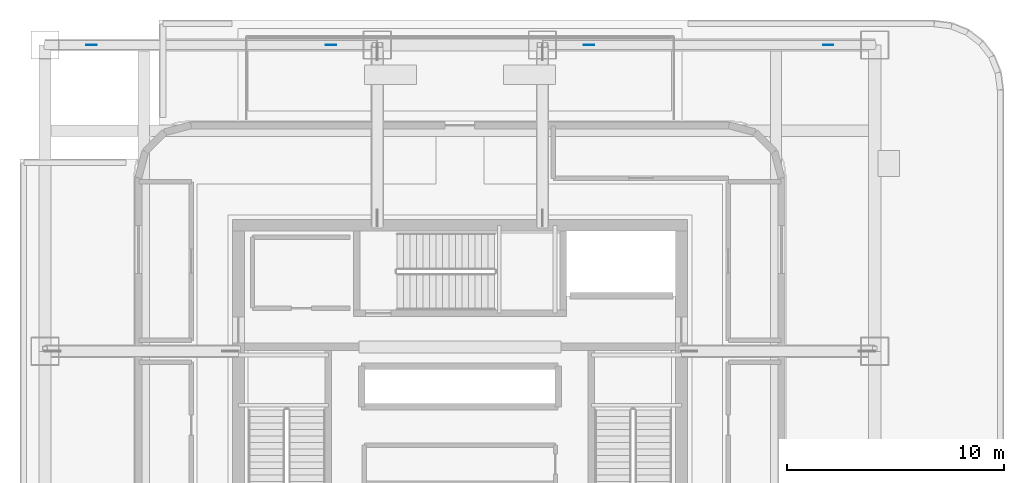
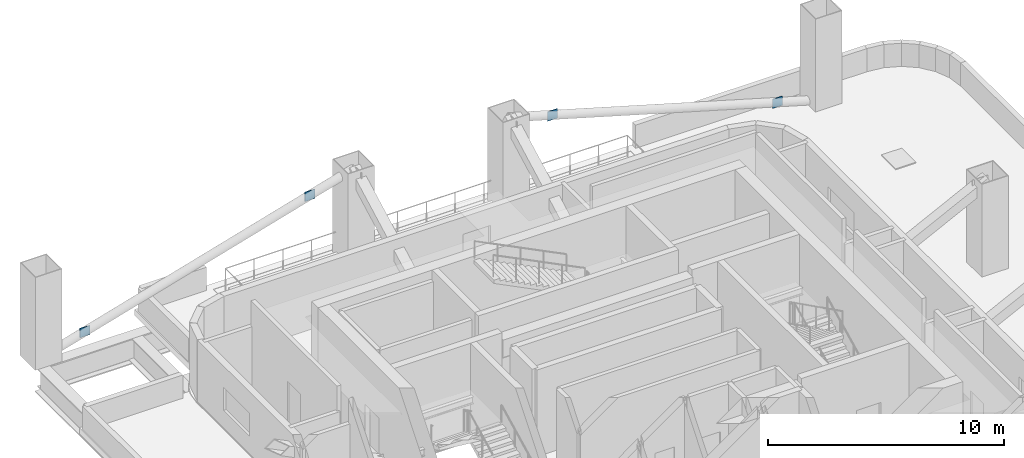
# One storey, part 4 of 11: 4 plates.
"""IFC4 building model written with IfcOpenShell, lengths in metres."""

import ifcopenshell
import ifcopenshell.guid

model = None  # the IFC model being written
_history = None  # IfcOwnerHistory: only IFC2X3 demands one
_inside = {}  # id of a spatial element -> (the spatial element, [elements in it])
_under = {}  # id of a project, library or spatial element -> (it, [spatial elements below it])
_declared = {}  # id of a project -> (the project, [libraries it declares])
_typed = {}  # id of a type object -> (the type object, [elements of that type])
_made_of = {}  # id of a material, layer set ... -> (it, [elements and type objects made of it])


def new_model(schema):
    """Start an empty IFC model of exactly this schema.

    Asked for "IFC4X3", IfcOpenShell would pick the latest addendum, in which some entities
    have other attributes; the version numbers below select the first issue.
    IFC2X3 requires an IfcOwnerHistory on every rooted entity: one is made here for all.
    """
    global model, _history
    if schema == "IFC4X3":
        model = ifcopenshell.file(schema_version=(4, 3, 0, 0))
    else:
        model = ifcopenshell.file(schema=schema)
    _inside.clear()
    _under.clear()
    _declared.clear()
    _typed.clear()
    _made_of.clear()
    _history = None
    if model.schema == "IFC2X3":
        org = make("IfcOrganization", Name="unknown")
        user = make(
            "IfcPersonAndOrganization",
            ThePerson=make("IfcPerson", FamilyName="unknown"),
            TheOrganization=org,
        )
        app = make(
            "IfcApplication",
            ApplicationDeveloper=org,
            Version="unknown",
            ApplicationFullName="unknown",
            ApplicationIdentifier="unknown",
        )
        _history = make(
            "IfcOwnerHistory",
            OwningUser=user,
            OwningApplication=app,
            ChangeAction="ADDED",
            CreationDate=0,
        )
    return model


def make(cls, **values):
    """One entity of the class cls with the attributes given. An attribute that is None is left unset."""
    return model.create_entity(
        cls, **{name: value for name, value in values.items() if value is not None}
    )


def rooted(cls, **values):
    """An entity with a GlobalId (a new one), such as an element, a storey or a relation."""
    return make(cls, GlobalId=ifcopenshell.guid.new(), OwnerHistory=_history, **values)


def si_unit(unit_type, name, prefix=None):
    """IfcSIUnit, for example si_unit("LENGTHUNIT", "METRE", prefix="MILLI")."""
    return make("IfcSIUnit", UnitType=unit_type, Prefix=prefix, Name=name)


def assignment(units):
    """IfcUnitAssignment: the units of a project."""
    return None if units is None else make("IfcUnitAssignment", Units=units)


def point(xyz):
    """IfcCartesianPoint."""
    return None if xyz is None else make("IfcCartesianPoint", Coordinates=xyz)


def direction(xyz):
    """IfcDirection."""
    return None if xyz is None else make("IfcDirection", DirectionRatios=xyz)


def frame(location, z_axis=None, x_axis=None):
    """IfcAxis2Placement3D, a coordinate frame: its origin and axes. An axis left out is left unset."""
    return make(
        "IfcAxis2Placement3D",
        Location=point(location),
        Axis=direction(z_axis),
        RefDirection=direction(x_axis),
    )


def frame_2d(location, x_axis=None):
    """IfcAxis2Placement2D, a coordinate frame in the plane: its origin and x axis."""
    return make(
        "IfcAxis2Placement2D", Location=point(location), RefDirection=direction(x_axis)
    )


def origin():
    """The frame at (0, 0, 0) with its axes left unset."""
    return frame((0.0, 0.0, 0.0))


def origin_2d():
    """The frame at (0, 0) in the plane with its x axis left unset."""
    return frame_2d((0.0, 0.0))


def place(relative_to, where):
    """IfcLocalPlacement: puts the frame where relative to a parent placement (None: the world)."""
    return make(
        "IfcLocalPlacement", PlacementRelTo=relative_to, RelativePlacement=where
    )


def context(
    kind, dimensions, precision=None, world=None, true_north=None, identifier=None
):
    """IfcGeometricRepresentationContext, for example the 3D "Model" context."""
    return make(
        "IfcGeometricRepresentationContext",
        ContextIdentifier=identifier,
        ContextType=kind,
        CoordinateSpaceDimension=dimensions,
        Precision=precision,
        WorldCoordinateSystem=world,
        TrueNorth=true_north,
    )


def subcontext(parent, identifier, kind, view, scale=None):
    """IfcGeometricRepresentationSubContext, for example "Body" below "Model"."""
    return make(
        "IfcGeometricRepresentationSubContext",
        ContextIdentifier=identifier,
        ContextType=kind,
        ParentContext=parent,
        TargetScale=scale,
        TargetView=view,
    )


def project(units=None, contexts=None):
    """IfcProject with its units and contexts."""
    return rooted(
        "IfcProject",
        Name="project",
        RepresentationContexts=contexts,
        UnitsInContext=assignment(units),
    )


def spatial(cls, under=None, at=None, **own):
    """A site, building, storey or space (cls), placed at a placement, below another one or the project."""
    s = rooted(cls, ObjectPlacement=at, **own)
    if under is not None:
        _under.setdefault(under.id(), (under, []))[1].append(s)
    return s


def profile(cls, at=None, kind="AREA", **sizes):
    """A parametric profile (cls). Its sizes go by their IFC names, for example OverallWidth=200.0."""
    return make(cls, ProfileType=kind, Position=at, **sizes)


def rectangle(**sizes):
    """IfcRectangleProfileDef."""
    return profile("IfcRectangleProfileDef", **sizes)


def extrude(swept, where, along, depth):
    """IfcExtrudedAreaSolid: the profile swept, set in the frame where, extruded along a direction by depth."""
    return make(
        "IfcExtrudedAreaSolid",
        SweptArea=swept,
        Position=where,
        ExtrudedDirection=direction(along),
        Depth=depth,
    )


def shape(context_of_items, identifier, shape_type, items):
    """IfcShapeRepresentation: the items that make up one representation, for example the "Body"."""
    return make(
        "IfcShapeRepresentation",
        ContextOfItems=context_of_items,
        RepresentationIdentifier=identifier,
        RepresentationType=shape_type,
        Items=items,
    )


def material(Name=None, Category=None):
    """IfcMaterial."""
    return make("IfcMaterial", Name=Name, Category=Category)


def layer(
    of_material, thickness, ventilated=None, Name=None, Category=None, Priority=None
):
    """IfcMaterialLayer: one layer of a wall or slab, of a material (None: an air gap)."""
    return make(
        "IfcMaterialLayer",
        Material=of_material,
        LayerThickness=thickness,
        IsVentilated=ventilated,
        Name=Name,
        Category=Category,
        Priority=Priority,
    )


def layer_set(layers, Name=None):
    """IfcMaterialLayerSet."""
    return make("IfcMaterialLayerSet", MaterialLayers=layers, LayerSetName=Name)


def made_of(thing, what):
    """Note that an element or type object is made of a material, layer set ...; save() writes the relation."""
    if what is not None:
        _made_of.setdefault(what.id(), (what, []))[1].append(thing)
    return thing


def type_object(cls, material=None, **own):
    """A type object (cls), such as IfcWallType, which elements share."""
    return made_of(rooted(cls, **own), material)


def element(
    cls,
    number,
    at=None,
    inside=None,
    cuts=None,
    type_object=None,
    material=None,
    context=None,
    identifier="Body",
    shape_type=None,
    held_by="IfcProductDefinitionShape",
    body=None,
    shapes=None,
    **own,
):
    """One element of the class cls, such as IfcWall. Its Tag is "e" and its number.

    at: its placement. inside: the storey or other place that contains it. cuts: it is an
    opening in that element (IfcRelVoidsElement). A single representation is given by context,
    identifier, shape_type and body (its items); several are given by shapes. held_by: the class
    of the entity that holds the representations. save() writes the other relations.
    """
    e = rooted(cls, Tag="e%d" % number, ObjectPlacement=at, **own)
    if body is not None:
        shapes = [shape(context, identifier, shape_type, body)]
    if shapes is not None:
        e.Representation = make(held_by, Representations=shapes)
    if inside is not None:
        _inside.setdefault(inside.id(), (inside, []))[1].append(e)
    if cuts is not None:
        rooted(
            "IfcRelVoidsElement", RelatingBuildingElement=cuts, RelatedOpeningElement=e
        )
    if type_object is not None:
        _typed.setdefault(type_object.id(), (type_object, []))[1].append(e)
    return made_of(e, material)


def aggregate(whole, parts):
    """IfcRelAggregates: a whole, such as a stair, and the parts it consists of."""
    return rooted("IfcRelAggregates", RelatingObject=whole, RelatedObjects=parts)


def save(model, path):
    """Write the relations noted so far, then the file.

    IfcRelAggregates (storeys below a building ...), IfcRelContainedInSpatialStructure (elements
    in a storey), IfcRelDefinesByType, IfcRelAssociatesMaterial and IfcRelDeclares: one each for
    every whole, place, type object, material and project.
    """
    for whole, parts in _under.values():
        aggregate(whole, parts)
    for where, things in _inside.values():
        rooted(
            "IfcRelContainedInSpatialStructure",
            RelatedElements=things,
            RelatingStructure=where,
        )
    for kind, things in _typed.values():
        rooted("IfcRelDefinesByType", RelatedObjects=things, RelatingType=kind)
    for what, things in _made_of.values():
        rooted("IfcRelAssociatesMaterial", RelatedObjects=things, RelatingMaterial=what)
    for by, libraries in _declared.values():
        rooted("IfcRelDeclares", RelatingContext=by, RelatedDefinitions=libraries)
    model.write(path)


model = new_model("IFC4")

# Units and contexts
model_context = context("Model", 3, precision=1e-05, world=origin(), true_north=direction((0.0, 1.0)))
body_context = subcontext(model_context, "Body", "Model", "MODEL_VIEW")
ifc_project = project(units=[si_unit("LENGTHUNIT", "METRE"), si_unit("AREAUNIT", "SQUARE_METRE"), si_unit("VOLUMEUNIT", "CUBIC_METRE"), si_unit("PLANEANGLEUNIT", "RADIAN"), si_unit("MASSUNIT", "GRAM", prefix="KILO")], contexts=[model_context])

# Site, building, storey
site_placement = place(None, origin())
site = spatial("IfcSite", under=ifc_project, at=site_placement, CompositionType="ELEMENT")
building_placement = place(site_placement, origin())
building = spatial("IfcBuilding", under=site, at=building_placement, Name="Punatoya Terracotta Tower", CompositionType="ELEMENT")
storey_placement = place(building_placement, frame((0.0, 0.0, 237.0)))
storey = spatial("IfcBuildingStorey", under=building, at=storey_placement, Name="L56", CompositionType="ELEMENT", Elevation=237.0)

# Plates
ifc_material = material(Name="Steel S460", Category="steel")
ifc_layer = layer(ifc_material, 0.031982421875)
ifc_layer_set = layer_set([ifc_layer], Name="Steel S460")
plate_type = type_object("IfcPlateType", Name="PLT-END-32", PredefinedType="USERDEFINED", material=ifc_layer_set)
for number, where, z_axis, x_axis, name in (
    (1, (-16.9580078125, 17.5, 0.401611328125), (0.0, 0.0, 1.0), (1.0, 0.0, 0.0), "L56 Ring Strut NST-3 End Plate 1"),
    (2, (-5.94189453125, 17.5, 3.598388671875), (0.0, 0.0, 1.0), (1.0, 0.0, 0.0), "L56 Ring Strut NST-3 End Plate 2"),
    (3, (5.94189453125, 17.5, 3.598388671875), (0.0, 0.0, 1.0), (1.0, 0.0, 0.0), "L56 Ring Strut NST-4 End Plate 1"),
    (4, (16.9580078125, 17.5, 0.401611328125), (0.0, 0.0, 1.0), (1.0, 0.0, 0.0), "L56 Ring Strut NST-4 End Plate 2"),
):
    element("IfcPlate", number, at=place(storey_placement, frame(where, z_axis=z_axis, x_axis=x_axis)), inside=storey, type_object=plate_type, Name=name, ObjectType="FLANGE_PLATE", PredefinedType="USERDEFINED", context=body_context, shape_type="SweptSolid", body=[
        extrude(rectangle(XDim=0.47998046875, YDim=0.031982421875, at=origin_2d()), origin(), (0.0, 0.0, 1.0), 0.47998046875),
    ])

save(model, "model.ifc")
